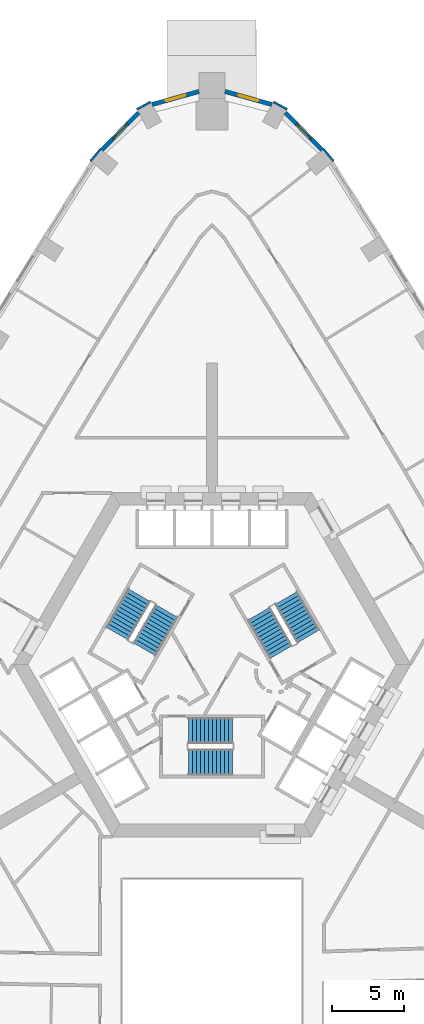
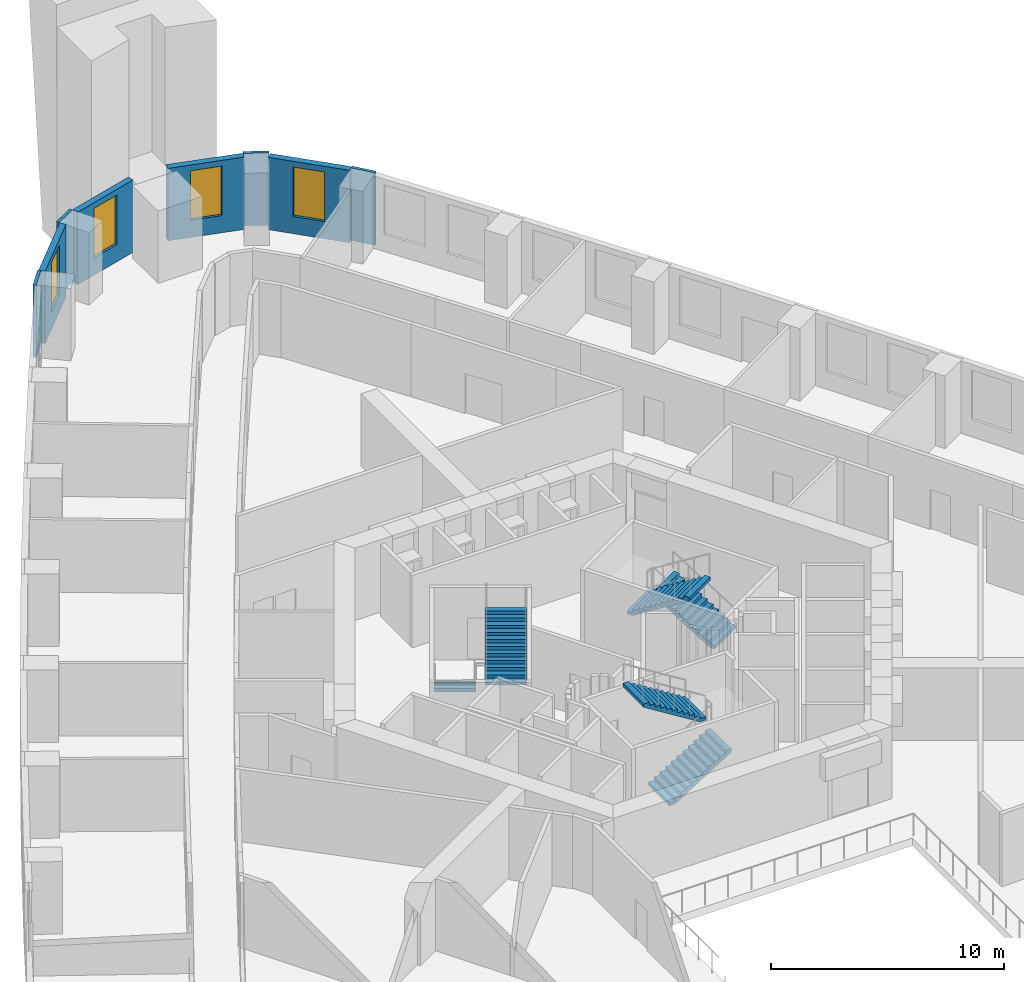
# One storey, part 12 of 15: 8 walls, 6 stair flights, 4 windows, 4 openings, 3 elements without a shape of their own.
"""IFC4 building model written with IfcOpenShell, lengths in metres."""

import ifcopenshell
import ifcopenshell.guid

model = None  # the IFC model being written
_history = None  # IfcOwnerHistory: only IFC2X3 demands one
_inside = {}  # id of a spatial element -> (the spatial element, [elements in it])
_under = {}  # id of a project, library or spatial element -> (it, [spatial elements below it])
_declared = {}  # id of a project -> (the project, [libraries it declares])
_typed = {}  # id of a type object -> (the type object, [elements of that type])
_made_of = {}  # id of a material, layer set ... -> (it, [elements and type objects made of it])


def new_model(schema):
    """Start an empty IFC model of exactly this schema.

    Asked for "IFC4X3", IfcOpenShell would pick the latest addendum, in which some entities
    have other attributes; the version numbers below select the first issue.
    IFC2X3 requires an IfcOwnerHistory on every rooted entity: one is made here for all.
    """
    global model, _history
    if schema == "IFC4X3":
        model = ifcopenshell.file(schema_version=(4, 3, 0, 0))
    else:
        model = ifcopenshell.file(schema=schema)
    _inside.clear()
    _under.clear()
    _declared.clear()
    _typed.clear()
    _made_of.clear()
    _history = None
    if model.schema == "IFC2X3":
        org = make("IfcOrganization", Name="unknown")
        user = make(
            "IfcPersonAndOrganization",
            ThePerson=make("IfcPerson", FamilyName="unknown"),
            TheOrganization=org,
        )
        app = make(
            "IfcApplication",
            ApplicationDeveloper=org,
            Version="unknown",
            ApplicationFullName="unknown",
            ApplicationIdentifier="unknown",
        )
        _history = make(
            "IfcOwnerHistory",
            OwningUser=user,
            OwningApplication=app,
            ChangeAction="ADDED",
            CreationDate=0,
        )
    return model


def make(cls, **values):
    """One entity of the class cls with the attributes given. An attribute that is None is left unset."""
    return model.create_entity(
        cls, **{name: value for name, value in values.items() if value is not None}
    )


def rooted(cls, **values):
    """An entity with a GlobalId (a new one), such as an element, a storey or a relation."""
    return make(cls, GlobalId=ifcopenshell.guid.new(), OwnerHistory=_history, **values)


def si_unit(unit_type, name, prefix=None):
    """IfcSIUnit, for example si_unit("LENGTHUNIT", "METRE", prefix="MILLI")."""
    return make("IfcSIUnit", UnitType=unit_type, Prefix=prefix, Name=name)


def assignment(units):
    """IfcUnitAssignment: the units of a project."""
    return None if units is None else make("IfcUnitAssignment", Units=units)


def point(xyz):
    """IfcCartesianPoint."""
    return None if xyz is None else make("IfcCartesianPoint", Coordinates=xyz)


def direction(xyz):
    """IfcDirection."""
    return None if xyz is None else make("IfcDirection", DirectionRatios=xyz)


def frame(location, z_axis=None, x_axis=None):
    """IfcAxis2Placement3D, a coordinate frame: its origin and axes. An axis left out is left unset."""
    return make(
        "IfcAxis2Placement3D",
        Location=point(location),
        Axis=direction(z_axis),
        RefDirection=direction(x_axis),
    )


def frame_2d(location, x_axis=None):
    """IfcAxis2Placement2D, a coordinate frame in the plane: its origin and x axis."""
    return make(
        "IfcAxis2Placement2D", Location=point(location), RefDirection=direction(x_axis)
    )


def origin():
    """The frame at (0, 0, 0) with its axes left unset."""
    return frame((0.0, 0.0, 0.0))


def place(relative_to, where):
    """IfcLocalPlacement: puts the frame where relative to a parent placement (None: the world)."""
    return make(
        "IfcLocalPlacement", PlacementRelTo=relative_to, RelativePlacement=where
    )


def context(
    kind, dimensions, precision=None, world=None, true_north=None, identifier=None
):
    """IfcGeometricRepresentationContext, for example the 3D "Model" context."""
    return make(
        "IfcGeometricRepresentationContext",
        ContextIdentifier=identifier,
        ContextType=kind,
        CoordinateSpaceDimension=dimensions,
        Precision=precision,
        WorldCoordinateSystem=world,
        TrueNorth=true_north,
    )


def subcontext(parent, identifier, kind, view, scale=None):
    """IfcGeometricRepresentationSubContext, for example "Body" below "Model"."""
    return make(
        "IfcGeometricRepresentationSubContext",
        ContextIdentifier=identifier,
        ContextType=kind,
        ParentContext=parent,
        TargetScale=scale,
        TargetView=view,
    )


def project(units=None, contexts=None):
    """IfcProject with its units and contexts."""
    return rooted(
        "IfcProject",
        Name="project",
        RepresentationContexts=contexts,
        UnitsInContext=assignment(units),
    )


def spatial(cls, under=None, at=None, **own):
    """A site, building, storey or space (cls), placed at a placement, below another one or the project."""
    s = rooted(cls, ObjectPlacement=at, **own)
    if under is not None:
        _under.setdefault(under.id(), (under, []))[1].append(s)
    return s


def polyline(points):
    """IfcPolyline through the points."""
    return make("IfcPolyline", Points=[point(p) for p in points])


def profile(cls, at=None, kind="AREA", **sizes):
    """A parametric profile (cls). Its sizes go by their IFC names, for example OverallWidth=200.0."""
    return make(cls, ProfileType=kind, Position=at, **sizes)


def rectangle(**sizes):
    """IfcRectangleProfileDef."""
    return profile("IfcRectangleProfileDef", **sizes)


def outline(outer, holes=None, kind="AREA"):
    """IfcArbitraryClosedProfileDef: a profile drawn as a closed curve; with holes, ...WithVoids."""
    if holes is None:
        return make("IfcArbitraryClosedProfileDef", ProfileType=kind, OuterCurve=outer)
    return make(
        "IfcArbitraryProfileDefWithVoids",
        ProfileType=kind,
        OuterCurve=outer,
        InnerCurves=holes,
    )


def extrude(swept, where, along, depth):
    """IfcExtrudedAreaSolid: the profile swept, set in the frame where, extruded along a direction by depth."""
    return make(
        "IfcExtrudedAreaSolid",
        SweptArea=swept,
        Position=where,
        ExtrudedDirection=direction(along),
        Depth=depth,
    )


def shape(context_of_items, identifier, shape_type, items):
    """IfcShapeRepresentation: the items that make up one representation, for example the "Body"."""
    return make(
        "IfcShapeRepresentation",
        ContextOfItems=context_of_items,
        RepresentationIdentifier=identifier,
        RepresentationType=shape_type,
        Items=items,
    )


def material(Name=None, Category=None):
    """IfcMaterial."""
    return make("IfcMaterial", Name=Name, Category=Category)


def layer(
    of_material, thickness, ventilated=None, Name=None, Category=None, Priority=None
):
    """IfcMaterialLayer: one layer of a wall or slab, of a material (None: an air gap)."""
    return make(
        "IfcMaterialLayer",
        Material=of_material,
        LayerThickness=thickness,
        IsVentilated=ventilated,
        Name=Name,
        Category=Category,
        Priority=Priority,
    )


def layer_set(layers, Name=None):
    """IfcMaterialLayerSet."""
    return make("IfcMaterialLayerSet", MaterialLayers=layers, LayerSetName=Name)


def made_of(thing, what):
    """Note that an element or type object is made of a material, layer set ...; save() writes the relation."""
    if what is not None:
        _made_of.setdefault(what.id(), (what, []))[1].append(thing)
    return thing


def type_object(cls, material=None, **own):
    """A type object (cls), such as IfcWallType, which elements share."""
    return made_of(rooted(cls, **own), material)


def element(
    cls,
    number,
    at=None,
    inside=None,
    cuts=None,
    type_object=None,
    material=None,
    context=None,
    identifier="Body",
    shape_type=None,
    held_by="IfcProductDefinitionShape",
    body=None,
    shapes=None,
    **own,
):
    """One element of the class cls, such as IfcWall. Its Tag is "e" and its number.

    at: its placement. inside: the storey or other place that contains it. cuts: it is an
    opening in that element (IfcRelVoidsElement). A single representation is given by context,
    identifier, shape_type and body (its items); several are given by shapes. held_by: the class
    of the entity that holds the representations. save() writes the other relations.
    """
    e = rooted(cls, Tag="e%d" % number, ObjectPlacement=at, **own)
    if body is not None:
        shapes = [shape(context, identifier, shape_type, body)]
    if shapes is not None:
        e.Representation = make(held_by, Representations=shapes)
    if inside is not None:
        _inside.setdefault(inside.id(), (inside, []))[1].append(e)
    if cuts is not None:
        rooted(
            "IfcRelVoidsElement", RelatingBuildingElement=cuts, RelatedOpeningElement=e
        )
    if type_object is not None:
        _typed.setdefault(type_object.id(), (type_object, []))[1].append(e)
    return made_of(e, material)


def fill(opening, filler):
    """IfcRelFillsElement: the door or window that sits in an opening."""
    return rooted(
        "IfcRelFillsElement",
        RelatingOpeningElement=opening,
        RelatedBuildingElement=filler,
    )


def aggregate(whole, parts):
    """IfcRelAggregates: a whole, such as a stair, and the parts it consists of."""
    return rooted("IfcRelAggregates", RelatingObject=whole, RelatedObjects=parts)


def save(model, path):
    """Write the relations noted so far, then the file.

    IfcRelAggregates (storeys below a building ...), IfcRelContainedInSpatialStructure (elements
    in a storey), IfcRelDefinesByType, IfcRelAssociatesMaterial and IfcRelDeclares: one each for
    every whole, place, type object, material and project.
    """
    for whole, parts in _under.values():
        aggregate(whole, parts)
    for where, things in _inside.values():
        rooted(
            "IfcRelContainedInSpatialStructure",
            RelatedElements=things,
            RelatingStructure=where,
        )
    for kind, things in _typed.values():
        rooted("IfcRelDefinesByType", RelatedObjects=things, RelatingType=kind)
    for what, things in _made_of.values():
        rooted("IfcRelAssociatesMaterial", RelatedObjects=things, RelatingMaterial=what)
    for by, libraries in _declared.values():
        rooted("IfcRelDeclares", RelatingContext=by, RelatedDefinitions=libraries)
    model.write(path)


model = new_model("IFC4")

# Units and contexts
model_context = context("Model", 3, precision=1e-05, world=origin(), true_north=direction((0.0, 1.0)))
body_context = subcontext(model_context, "Body", "Model", "MODEL_VIEW")
ifc_project = project(units=[si_unit("LENGTHUNIT", "METRE"), si_unit("AREAUNIT", "SQUARE_METRE"), si_unit("VOLUMEUNIT", "CUBIC_METRE"), si_unit("PLANEANGLEUNIT", "RADIAN"), si_unit("MASSUNIT", "GRAM", prefix="KILO")], contexts=[model_context])

# Site, building, storey
site_placement = place(None, origin())
site = spatial("IfcSite", under=ifc_project, at=site_placement, CompositionType="ELEMENT")
building_placement = place(site_placement, origin())
building = spatial("IfcBuilding", under=site, at=building_placement, Name="Entoto Arch Interchange Tower", CompositionType="ELEMENT")
storey_placement = place(building_placement, frame((0.0, 0.0, 99.199951171875)))
storey = spatial("IfcBuildingStorey", under=building, at=storey_placement, Name="L21", CompositionType="ELEMENT", Elevation=99.199951171875)

# Wall, opening, window
ifc_material_1 = material(Name="Welded tuff (ignimbrite) cladding, warm buff", Category="masonry")
ifc_layer_1 = layer(ifc_material_1, 0.300048828125)
ifc_layer_set_1 = layer_set([ifc_layer_1], Name="Welded tuff (ignimbrite) cladding, warm buff")
wall_type_1 = type_object("IfcWallType", Name="STONE INFILL WALL 300", PredefinedType="STANDARD", material=ifc_layer_set_1)
wall_1_placement = place(storey_placement, frame((7.66796875, 38.343017578125, 0.0), z_axis=(0.0, 0.0, 1.0), x_axis=(-0.698695735804, 0.715418946331, 0.0)))
wall_1 = element("IfcWall", 1, at=wall_1_placement, inside=storey, type_object=wall_type_1, Name="Facade wall N-01 L21", PredefinedType="STANDARD", context=body_context, shape_type="SweptSolid", body=[
    extrude(rectangle(XDim=3.649658203125, YDim=0.300048828125, at=frame_2d((1.82470703125, 0.0))), origin(), (0.0, 0.0, 1.0), 3.800048828125),
])
opening_1_placement = place(wall_1_placement, frame((1.125, 0.0, 0.89990234375)))
opening_1 = element("IfcOpeningElement", 2, at=opening_1_placement, cuts=wall_1, Name="Opening WO-B", PredefinedType="OPENING", context=body_context, shape_type="SweptSolid", body=[
    extrude(rectangle(XDim=1.39990234375, YDim=2.60009765625, at=frame_2d((0.699951171875, 1.300048828125))), frame((0.0, 0.16015625, 0.0), z_axis=(0.0, -1.0, 0.0), x_axis=(1.0, 0.0, 0.0)), (0.0, 0.0, 1.0), 0.320068359375),
])
ifc_material_2 = material(Name="Clear glass, low-e double glazed", Category="glass")
window_type = type_object("IfcWindowType", Name="WINDOW WO-B 1400x2600", PartitioningType="DOUBLE_PANEL_VERTICAL", PredefinedType="WINDOW", material=ifc_material_2)
window_1_placement = place(opening_1_placement, origin())
window_1 = element("IfcWindow", 3, at=window_1_placement, inside=storey, type_object=window_type, Name="Window WO-B N-01 L21", OverallHeight=2.60009765625, OverallWidth=1.39990234375, PartitioningType="SINGLE_PANEL", PredefinedType="WINDOW", context=body_context, shape_type="SweptSolid", body=[
    extrude(rectangle(XDim=1.39990234375, YDim=2.60009765625, at=frame_2d((0.699951171875, 1.300048828125))), frame((0.0, 0.030029296875, 0.0), z_axis=(0.0, -1.0, 0.0), x_axis=(1.0, 0.0, 0.0)), (0.0, 0.0, 1.0), 0.06005859375),
])
fill(opening_1, window_1)

wall_2_placement = place(storey_placement, frame((4.175048828125, 41.51708984375, 0.0), z_axis=(0.0, 0.0, 1.0), x_axis=(-0.963822898894, 0.266543466562, 0.0)))
wall_2 = element("IfcWall", 4, at=wall_2_placement, inside=storey, type_object=wall_type_1, Name="Facade wall N-02 L21", PredefinedType="STANDARD", context=body_context, shape_type="SweptSolid", body=[
    extrude(rectangle(XDim=3.399169921875, YDim=0.300048828125, at=frame_2d((1.69970703125, 0.0))), origin(), (0.0, 0.0, 1.0), 3.800048828125),
])
opening_2_placement = place(wall_2_placement, frame((0.9990234375, 0.0, 0.89990234375)))
opening_2 = element("IfcOpeningElement", 5, at=opening_2_placement, cuts=wall_2, Name="Opening WO-B", PredefinedType="OPENING", context=body_context, shape_type="SweptSolid", body=[
    extrude(rectangle(XDim=1.39990234375, YDim=2.60009765625, at=frame_2d((0.699951171875, 1.300048828125))), frame((0.0, 0.16015625, 0.0), z_axis=(0.0, -1.0, 0.0), x_axis=(1.0, 0.0, 0.0)), (0.0, 0.0, 1.0), 0.320068359375),
])
window_2_placement = place(opening_2_placement, origin())
window_2 = element("IfcWindow", 6, at=window_2_placement, inside=storey, type_object=window_type, Name="Window WO-B N-02 L21", OverallHeight=2.60009765625, OverallWidth=1.39990234375, PartitioningType="SINGLE_PANEL", PredefinedType="WINDOW", context=body_context, shape_type="SweptSolid", body=[
    extrude(rectangle(XDim=1.39990234375, YDim=2.60009765625, at=frame_2d((0.699951171875, 1.300048828125))), frame((0.0, 0.030029296875, 0.0), z_axis=(0.0, -1.0, 0.0), x_axis=(1.0, 0.0, 0.0)), (0.0, 0.0, 1.0), 0.06005859375),
])
fill(opening_2, window_2)

wall_3_placement = place(storey_placement, frame((-0.89892578125, 42.423095703125, 0.0), z_axis=(0.0, 0.0, 1.0), x_axis=(-0.963822898894, -0.266543466562, 0.0)))
wall_3 = element("IfcWall", 7, at=wall_3_placement, inside=storey, type_object=wall_type_1, Name="Facade wall N-03 L21", PredefinedType="STANDARD", context=body_context, shape_type="SweptSolid", body=[
    extrude(rectangle(XDim=3.399169921875, YDim=0.300048828125, at=frame_2d((1.69970703125, 0.0))), origin(), (0.0, 0.0, 1.0), 3.800048828125),
])
opening_3_placement = place(wall_3_placement, frame((0.9990234375, 0.0, 0.89990234375)))
opening_3 = element("IfcOpeningElement", 8, at=opening_3_placement, cuts=wall_3, Name="Opening WO-B", PredefinedType="OPENING", context=body_context, shape_type="SweptSolid", body=[
    extrude(rectangle(XDim=1.39990234375, YDim=2.60009765625, at=frame_2d((0.699951171875, 1.300048828125))), frame((0.0, 0.16015625, 0.0), z_axis=(0.0, -1.0, 0.0), x_axis=(1.0, 0.0, 0.0)), (0.0, 0.0, 1.0), 0.320068359375),
])
window_3_placement = place(opening_3_placement, origin())
window_3 = element("IfcWindow", 9, at=window_3_placement, inside=storey, type_object=window_type, Name="Window WO-B N-03 L21", OverallHeight=2.60009765625, OverallWidth=1.39990234375, PartitioningType="SINGLE_PANEL", PredefinedType="WINDOW", context=body_context, shape_type="SweptSolid", body=[
    extrude(rectangle(XDim=1.39990234375, YDim=2.60009765625, at=frame_2d((0.699951171875, 1.300048828125))), frame((0.0, 0.030029296875, 0.0), z_axis=(0.0, -1.0, 0.0), x_axis=(1.0, 0.0, 0.0)), (0.0, 0.0, 1.0), 0.06005859375),
])
fill(opening_3, window_3)

wall_4_placement = place(storey_placement, frame((-5.117919921875, 40.9541015625, 0.0), z_axis=(0.0, 0.0, 1.0), x_axis=(-0.698695735804, -0.715418946331, 0.0)))
wall_4 = element("IfcWall", 10, at=wall_4_placement, inside=storey, type_object=wall_type_1, Name="Facade wall N-04 L21", PredefinedType="STANDARD", context=body_context, shape_type="SweptSolid", body=[
    extrude(rectangle(XDim=3.649658203125, YDim=0.300048828125, at=frame_2d((1.82470703125, 0.0))), origin(), (0.0, 0.0, 1.0), 3.800048828125),
])
opening_4_placement = place(wall_4_placement, frame((1.125, 0.0, 0.89990234375)))
opening_4 = element("IfcOpeningElement", 11, at=opening_4_placement, cuts=wall_4, Name="Opening WO-B", PredefinedType="OPENING", context=body_context, shape_type="SweptSolid", body=[
    extrude(rectangle(XDim=1.39990234375, YDim=2.60009765625, at=frame_2d((0.699951171875, 1.300048828125))), frame((0.0, 0.16015625, 0.0), z_axis=(0.0, -1.0, 0.0), x_axis=(1.0, 0.0, 0.0)), (0.0, 0.0, 1.0), 0.320068359375),
])
window_4_placement = place(opening_4_placement, origin())
window_4 = element("IfcWindow", 12, at=window_4_placement, inside=storey, type_object=window_type, Name="Window WO-B N-04 L21", OverallHeight=2.60009765625, OverallWidth=1.39990234375, PartitioningType="SINGLE_PANEL", PredefinedType="WINDOW", context=body_context, shape_type="SweptSolid", body=[
    extrude(rectangle(XDim=1.39990234375, YDim=2.60009765625, at=frame_2d((0.699951171875, 1.300048828125))), frame((0.0, 0.030029296875, 0.0), z_axis=(0.0, -1.0, 0.0), x_axis=(1.0, 0.0, 0.0)), (0.0, 0.0, 1.0), 0.06005859375),
])
fill(opening_4, window_4)

# Walls
ifc_layer_2 = layer(ifc_material_1, 0.14990234375)
ifc_layer_set_2 = layer_set([ifc_layer_2], Name="Welded tuff (ignimbrite) cladding, warm buff")
wall_type_2 = type_object("IfcWallType", Name="STONE PIER CLADDING 150", PredefinedType="STANDARD", material=ifc_layer_set_2)
for number, where, z_axis, x_axis, name in (
    (13, (5.239013671875, 41.172119140625, 0.0), (0.0, 0.0, 1.0), (-0.877556336627, 0.479473540507, 0.0), "Stone pier N1 L21"),
    (14, (-4.27294921875, 41.699951171875, 0.0), (0.0, 0.0, 1.0), (-0.877556336627, -0.479473540507, 0.0), "Stone pier N3 L21"),
):
    element("IfcWall", number, at=place(storey_placement, frame(where, z_axis=z_axis, x_axis=x_axis)), inside=storey, type_object=wall_type_2, Name=name, PredefinedType="STANDARD", context=body_context, shape_type="SweptSolid", body=[
        extrude(rectangle(XDim=1.100830078125, YDim=0.14990234375, at=frame_2d((0.55029296875, 0.0))), origin(), (0.0, 0.0, 1.0), 3.800048828125),
    ])
for number, where, z_axis, x_axis, name in (
    (15, (8.4619140625, 37.573974609375, 0.0), (0.0, 0.0, 1.0), (-0.638544483078, 0.769584916127, 0.0), "Stone pier NE09 L21"),
    (16, (-7.760009765625, 38.419921875, 0.0), (0.0, 0.0, 1.0), (-0.638544483078, -0.769584916127, 0.0), "Stone pier NW01 L21"),
):
    element("IfcWall", number, at=place(storey_placement, frame(where, z_axis=z_axis, x_axis=x_axis)), inside=storey, type_object=wall_type_2, Name=name, PredefinedType="STANDARD", context=body_context, shape_type="SweptSolid", body=[
        extrude(rectangle(XDim=1.09912109375, YDim=0.14990234375, at=frame_2d((0.549560546875, 0.0))), origin(), (0.0, 0.0, 1.0), 3.800048828125),
    ])

# Stair, stair flights
ifc_material_3 = material(Name="Concrete C40/50", Category="concrete")
stair_type = type_object("IfcStairType", Name="EXIT STAIR RC 1800", PredefinedType="HALF_TURN_STAIR", material=ifc_material_3)
stair_1_placement = place(storey_placement, origin())
stair_1 = element("IfcStair", 17, at=stair_1_placement, inside=storey, type_object=stair_type, Name="L21 Exit stair S", PredefinedType="HALF_TURN_STAIR")
stair_flight_type = type_object("IfcStairFlightType", Name="EXIT STAIR FLIGHT RC 1800", PredefinedType="STRAIGHT", material=ifc_material_3)
stair_flight_1_placement = place(storey_placement, frame((-1.64990234375, -4.300048828125, 0.0), z_axis=(0.0, 0.0, 1.0), x_axis=(1.0, 0.0, 0.0)))
stair_flight_1 = element("IfcStairFlight", 18, at=stair_flight_1_placement, type_object=stair_flight_type, Name="ST-S flight 1", NumberOfRisers=12, NumberOfTreads=11, PredefinedType="STRAIGHT", RiserHeight=0.175, TreadLength=0.28, context=body_context, shape_type="SweptSolid", body=[
    extrude(outline(polyline([(-0.0029296875, 0.0), (-0.0029296875, 0.175048828125), (0.280029296875, 0.175048828125), (0.280029296875, 0.35009765625), (0.56005859375, 0.35009765625), (0.56005859375, 0.52490234375), (0.840087890625, 0.52490234375), (0.840087890625, 0.699951171875), (1.1201171875, 0.699951171875), (1.1201171875, 0.875), (1.39990234375, 0.875), (1.39990234375, 1.050048828125), (1.679931640625, 1.050048828125), (1.679931640625, 1.22509765625), (1.9599609375, 1.22509765625), (1.9599609375, 1.39990234375), (2.239990234375, 1.39990234375), (2.239990234375, 1.574951171875), (2.52001953125, 1.574951171875), (2.52001953125, 1.75), (2.800048828125, 1.75), (2.800048828125, 1.925048828125), (3.080078125, 1.925048828125), (3.0830078125, 1.925048828125), (3.0830078125, 1.75), (0.28271484375, 0.0), (-0.0029296875, 0.0)])), frame((0.0, 0.89990234375, 0.0), z_axis=(0.0, -1.0, 0.0), x_axis=(1.0, 0.0, 0.0)), (0.0, 0.0, 1.0), 1.800048828125),
])
stair_flight_2_placement = place(storey_placement, frame((1.429931640625, -2.10009765625, 2.10009765625), z_axis=(0.0, 0.0, 1.0), x_axis=(-1.0, 0.0, 0.0)))
stair_flight_2 = element("IfcStairFlight", 19, at=stair_flight_2_placement, type_object=stair_flight_type, Name="ST-S flight 2", NumberOfRisers=12, NumberOfTreads=11, PredefinedType="STRAIGHT", RiserHeight=0.175, TreadLength=0.28, context=body_context, shape_type="SweptSolid", body=[
    extrude(outline(polyline([(-0.0029296875, 0.0), (-0.0029296875, 0.175048828125), (0.280029296875, 0.175048828125), (0.280029296875, 0.35009765625), (0.56005859375, 0.35009765625), (0.56005859375, 0.52490234375), (0.840087890625, 0.52490234375), (0.840087890625, 0.699951171875), (1.1201171875, 0.699951171875), (1.1201171875, 0.875), (1.39990234375, 0.875), (1.39990234375, 1.050048828125), (1.679931640625, 1.050048828125), (1.679931640625, 1.22509765625), (1.9599609375, 1.22509765625), (1.9599609375, 1.39990234375), (2.239990234375, 1.39990234375), (2.239990234375, 1.574951171875), (2.52001953125, 1.574951171875), (2.52001953125, 1.75), (2.800048828125, 1.75), (2.800048828125, 1.925048828125), (3.080078125, 1.925048828125), (3.0830078125, 1.925048828125), (3.0830078125, 1.75), (0.28271484375, 0.0), (-0.0029296875, 0.0)])), frame((0.0, 0.89990234375, 0.0), z_axis=(0.0, -1.0, 0.0), x_axis=(1.0, 0.0, 0.0)), (0.0, 0.0, 1.0), 1.800048828125),
])
aggregate(stair_1, [stair_flight_1, stair_flight_2])

stair_2_placement = place(storey_placement, origin())
stair_2 = element("IfcStair", 20, at=stair_2_placement, inside=storey, type_object=stair_type, Name="L21 Exit stair NE", PredefinedType="HALF_TURN_STAIR")
stair_flight_3_placement = place(storey_placement, frame((6.7138671875, 4.470947265625, 0.0), z_axis=(0.0, 0.0, 1.0), x_axis=(-0.5, 0.866025403784, 0.0)))
stair_flight_3 = element("IfcStairFlight", 21, at=stair_flight_3_placement, type_object=stair_flight_type, Name="ST-NE flight 1", NumberOfRisers=12, NumberOfTreads=11, PredefinedType="STRAIGHT", RiserHeight=0.175, TreadLength=0.28, context=body_context, shape_type="SweptSolid", body=[
    extrude(outline(polyline([(-0.0029296875, 0.0), (-0.0029296875, 0.175048828125), (0.280029296875, 0.175048828125), (0.280029296875, 0.35009765625), (0.56005859375, 0.35009765625), (0.56005859375, 0.52490234375), (0.840087890625, 0.52490234375), (0.840087890625, 0.699951171875), (1.1201171875, 0.699951171875), (1.1201171875, 0.875), (1.39990234375, 0.875), (1.39990234375, 1.050048828125), (1.679931640625, 1.050048828125), (1.679931640625, 1.22509765625), (1.9599609375, 1.22509765625), (1.9599609375, 1.39990234375), (2.239990234375, 1.39990234375), (2.239990234375, 1.574951171875), (2.52001953125, 1.574951171875), (2.52001953125, 1.75), (2.800048828125, 1.75), (2.800048828125, 1.925048828125), (3.080078125, 1.925048828125), (3.0830078125, 1.925048828125), (3.0830078125, 1.75), (0.28271484375, 0.0), (-0.0029296875, 0.0)])), frame((0.0, 0.89990234375, 0.0), z_axis=(0.0, -1.0, 0.0), x_axis=(1.0, 0.0, 0.0)), (0.0, 0.0, 1.0), 1.800048828125),
])
stair_flight_4_placement = place(storey_placement, frame((3.268798828125, 6.038330078125, 2.10009765625), z_axis=(0.0, 0.0, 1.0), x_axis=(0.5, -0.866025403784, 0.0)))
stair_flight_4 = element("IfcStairFlight", 22, at=stair_flight_4_placement, type_object=stair_flight_type, Name="ST-NE flight 2", NumberOfRisers=12, NumberOfTreads=11, PredefinedType="STRAIGHT", RiserHeight=0.175, TreadLength=0.28, context=body_context, shape_type="SweptSolid", body=[
    extrude(outline(polyline([(-0.0029296875, 0.0), (-0.0029296875, 0.175048828125), (0.280029296875, 0.175048828125), (0.280029296875, 0.35009765625), (0.56005859375, 0.35009765625), (0.56005859375, 0.52490234375), (0.840087890625, 0.52490234375), (0.840087890625, 0.699951171875), (1.1201171875, 0.699951171875), (1.1201171875, 0.875), (1.39990234375, 0.875), (1.39990234375, 1.050048828125), (1.679931640625, 1.050048828125), (1.679931640625, 1.22509765625), (1.9599609375, 1.22509765625), (1.9599609375, 1.39990234375), (2.239990234375, 1.39990234375), (2.239990234375, 1.574951171875), (2.52001953125, 1.574951171875), (2.52001953125, 1.75), (2.800048828125, 1.75), (2.800048828125, 1.925048828125), (3.080078125, 1.925048828125), (3.0830078125, 1.925048828125), (3.0830078125, 1.75), (0.28271484375, 0.0), (-0.0029296875, 0.0)])), frame((0.0, 0.89990234375, 0.0), z_axis=(0.0, -1.0, 0.0), x_axis=(1.0, 0.0, 0.0)), (0.0, 0.0, 1.0), 1.800048828125),
])
aggregate(stair_2, [stair_flight_3, stair_flight_4])

stair_3_placement = place(storey_placement, origin())
stair_3 = element("IfcStair", 23, at=stair_3_placement, inside=storey, type_object=stair_type, Name="L21 Exit stair NW", PredefinedType="HALF_TURN_STAIR")
stair_flight_5_placement = place(storey_placement, frame((-5.06396484375, 7.328857421875, 0.0), z_axis=(0.0, 0.0, 1.0), x_axis=(-0.5, -0.866025403784, 0.0)))
stair_flight_5 = element("IfcStairFlight", 24, at=stair_flight_5_placement, type_object=stair_flight_type, Name="ST-NW flight 1", NumberOfRisers=12, NumberOfTreads=11, PredefinedType="STRAIGHT", RiserHeight=0.175, TreadLength=0.28, context=body_context, shape_type="SweptSolid", body=[
    extrude(outline(polyline([(-0.0029296875, 0.0), (-0.0029296875, 0.175048828125), (0.280029296875, 0.175048828125), (0.280029296875, 0.35009765625), (0.56005859375, 0.35009765625), (0.56005859375, 0.52490234375), (0.840087890625, 0.52490234375), (0.840087890625, 0.699951171875), (1.1201171875, 0.699951171875), (1.1201171875, 0.875), (1.39990234375, 0.875), (1.39990234375, 1.050048828125), (1.679931640625, 1.050048828125), (1.679931640625, 1.22509765625), (1.9599609375, 1.22509765625), (1.9599609375, 1.39990234375), (2.239990234375, 1.39990234375), (2.239990234375, 1.574951171875), (2.52001953125, 1.574951171875), (2.52001953125, 1.75), (2.800048828125, 1.75), (2.800048828125, 1.925048828125), (3.080078125, 1.925048828125), (3.0830078125, 1.925048828125), (3.0830078125, 1.75), (0.28271484375, 0.0), (-0.0029296875, 0.0)])), frame((0.0, 0.89990234375, 0.0), z_axis=(0.0, -1.0, 0.0), x_axis=(1.0, 0.0, 0.0)), (0.0, 0.0, 1.0), 1.800048828125),
])
stair_flight_6_placement = place(storey_placement, frame((-4.69873046875, 3.5615234375, 2.10009765625), z_axis=(0.0, 0.0, 1.0), x_axis=(0.5, 0.866025403784, 0.0)))
stair_flight_6 = element("IfcStairFlight", 25, at=stair_flight_6_placement, type_object=stair_flight_type, Name="ST-NW flight 2", NumberOfRisers=12, NumberOfTreads=11, PredefinedType="STRAIGHT", RiserHeight=0.175, TreadLength=0.28, context=body_context, shape_type="SweptSolid", body=[
    extrude(outline(polyline([(-0.0029296875, 0.0), (-0.0029296875, 0.175048828125), (0.280029296875, 0.175048828125), (0.280029296875, 0.35009765625), (0.56005859375, 0.35009765625), (0.56005859375, 0.52490234375), (0.840087890625, 0.52490234375), (0.840087890625, 0.699951171875), (1.1201171875, 0.699951171875), (1.1201171875, 0.875), (1.39990234375, 0.875), (1.39990234375, 1.050048828125), (1.679931640625, 1.050048828125), (1.679931640625, 1.22509765625), (1.9599609375, 1.22509765625), (1.9599609375, 1.39990234375), (2.239990234375, 1.39990234375), (2.239990234375, 1.574951171875), (2.52001953125, 1.574951171875), (2.52001953125, 1.75), (2.800048828125, 1.75), (2.800048828125, 1.925048828125), (3.080078125, 1.925048828125), (3.0830078125, 1.925048828125), (3.0830078125, 1.75), (0.28271484375, 0.0), (-0.0029296875, 0.0)])), frame((0.0, 0.89990234375, 0.0), z_axis=(0.0, -1.0, 0.0), x_axis=(1.0, 0.0, 0.0)), (0.0, 0.0, 1.0), 1.800048828125),
])
aggregate(stair_3, [stair_flight_5, stair_flight_6])

save(model, "model.ifc")
